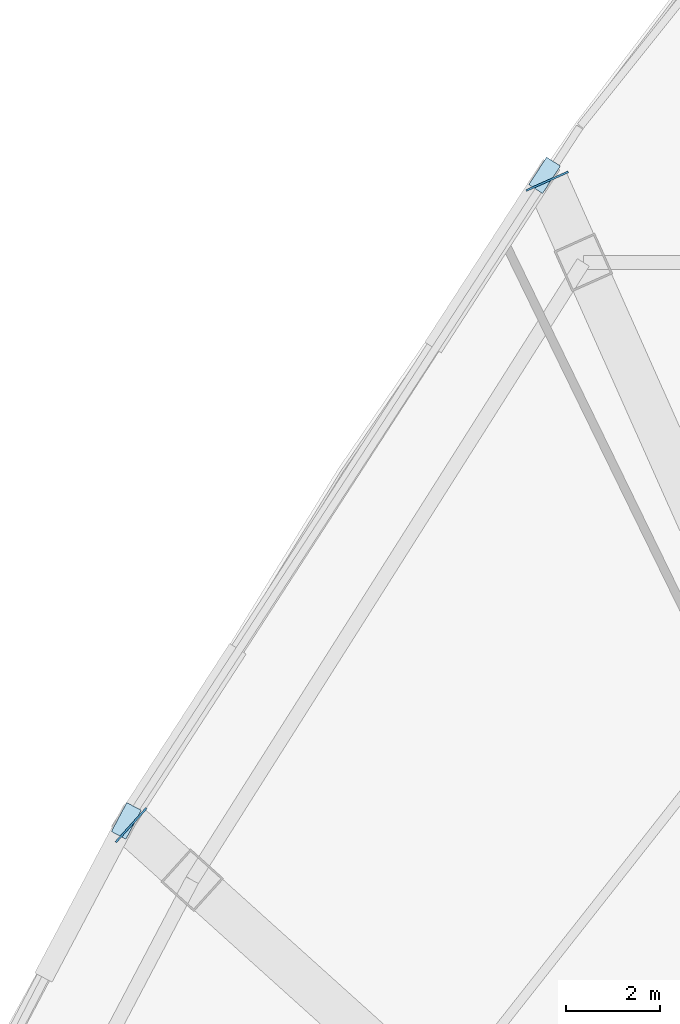
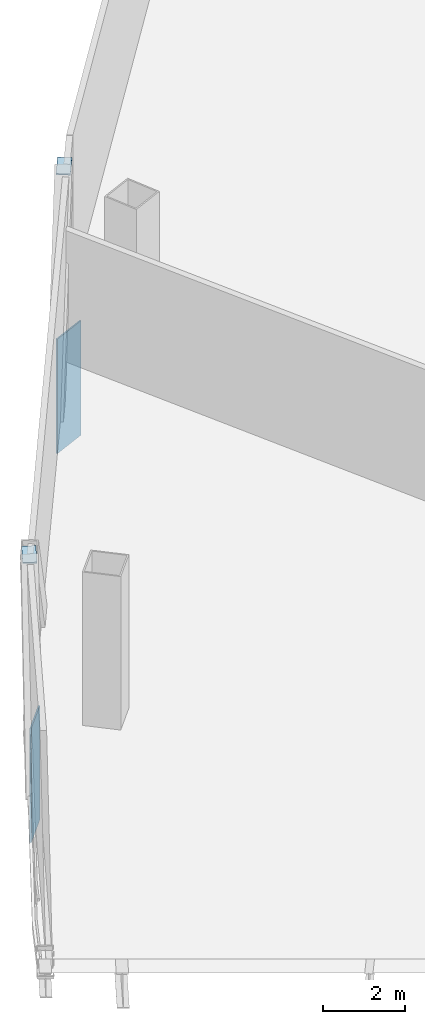
# One storey, part 4 of 15: 4 plates.
"""IFC4 building model written with IfcOpenShell, lengths in metres."""

from ifc_helpers import new_model, si_unit, direction, frame, origin, origin_2d, place, context, subcontext, project, spatial, rectangle, extrude, source, transform, mapped, material, layer, layer_set, type_object, element, save


model = new_model("IFC4")

# Units and contexts
model_context = context("Model", 3, precision=1e-05, world=origin(), true_north=direction((0.0, 1.0)))
body_context = subcontext(model_context, "Body", "Model", "MODEL_VIEW")
ifc_project = project(units=[si_unit("LENGTHUNIT", "METRE"), si_unit("AREAUNIT", "SQUARE_METRE"), si_unit("VOLUMEUNIT", "CUBIC_METRE"), si_unit("PLANEANGLEUNIT", "RADIAN"), si_unit("MASSUNIT", "GRAM", prefix="KILO"), si_unit("THERMODYNAMICTEMPERATUREUNIT", "KELVIN"), si_unit("POWERUNIT", "WATT")], contexts=[model_context])

# Site, building, storey
site_placement = place(None, origin())
site = spatial("IfcSite", under=ifc_project, at=site_placement, CompositionType="ELEMENT")
building_placement = place(site_placement, origin())
building = spatial("IfcBuilding", under=site, at=building_placement, Name="Yunzhuo Pagoda Commons", CompositionType="ELEMENT")
storey_placement = place(building_placement, frame((0.0, 0.0, 125.030029296875)))
storey = spatial("IfcBuildingStorey", under=building, at=storey_placement, Name="L31", CompositionType="ELEMENT", Elevation=125.030029296875)

# Plates
ifc_material_1 = material(Name="Structural steel Q420B", Category="steel")
ifc_layer_1 = layer(ifc_material_1, 0.0400390625)
ifc_layer_set_1 = layer_set([ifc_layer_1], Name="Structural steel Q420B")
plate_type_1 = type_object("IfcPlateType", Name="EP-TR2 Transfer Girder End Cap Plate 980x3540x40", PredefinedType="USERDEFINED", material=ifc_layer_set_1)
shared_shape_1 = source(origin(), body_context, "Body", "SweptSolid", [
    extrude(rectangle(XDim=0.97998046875, YDim=0.0400390625, at=origin_2d()), origin(), (0.0, 0.0, 1.0), 3.389892578125),
])
for number, where, z_axis, x_axis, name in (
    (1, (31.821044921875, 70.03857421875, -3.64990234375), (0.0, 0.0, 1.0), (-0.913545457643, -0.406736643076, 0.0), "L31 transfer girder end cap plate F3C1"),
    (2, (22.927978515625, 56.27490234375, -3.64990234375), (0.0, 0.0, 1.0), (-0.669130606359, -0.743144825477, 0.0), "L31 transfer girder end cap plate F3C2"),
):
    element("IfcPlate", number, at=place(storey_placement, frame(where, z_axis=z_axis, x_axis=x_axis)), inside=storey, type_object=plate_type_1, Name=name, ObjectType="END_PLATE", PredefinedType="USERDEFINED", context=body_context, shape_type="MappedRepresentation", body=[
        mapped(shared_shape_1, transform((0.0, 0.0, 0.0), scale=1.0)),
    ])
ifc_material_2 = material(Name="Structural steel Q355B", Category="steel")
ifc_layer_2 = layer(ifc_material_2, 0.028076171875)
ifc_layer_set_2 = layer_set([ifc_layer_2], Name="Structural steel Q355B")
plate_type_2 = type_object("IfcPlateType", Name="SP-ND1 Lattice Node Cap Plate 800x500x28", PredefinedType="USERDEFINED", material=ifc_layer_set_2)
shared_shape_2 = source(origin(), body_context, "Body", "SweptSolid", [
    extrude(rectangle(XDim=0.699951171875, YDim=0.35009765625, at=origin_2d()), origin(), (0.0, 0.0, 1.0), 0.035888671875),
])
for number, where, z_axis, x_axis, name in (
    (3, (31.765380859375, 70.163818359375, 4.501953125), (0.0, 0.0, 1.0), (-0.543745835187, -0.839249942935, 0.0), "L31 setback lattice tie plate F3.1L"),
    (4, (22.826171875, 56.36669921875, 4.501953125), (0.0, 0.0, 1.0), (-0.468068630068, -0.883692116943, 0.0), "L31 setback lattice tie plate F3.2L"),
):
    element("IfcPlate", number, at=place(storey_placement, frame(where, z_axis=z_axis, x_axis=x_axis)), inside=storey, type_object=plate_type_2, Name=name, ObjectType="STIFFENER_PLATE", PredefinedType="USERDEFINED", context=body_context, shape_type="MappedRepresentation", body=[
        mapped(shared_shape_2, transform((0.0, 0.0, 0.0), scale=1.0)),
    ])

save(model, "model.ifc")
